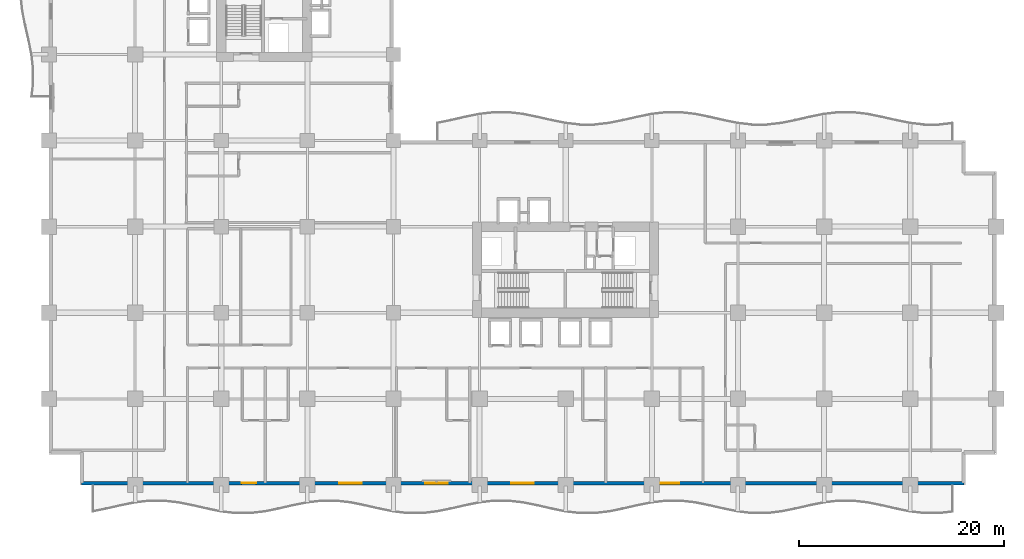
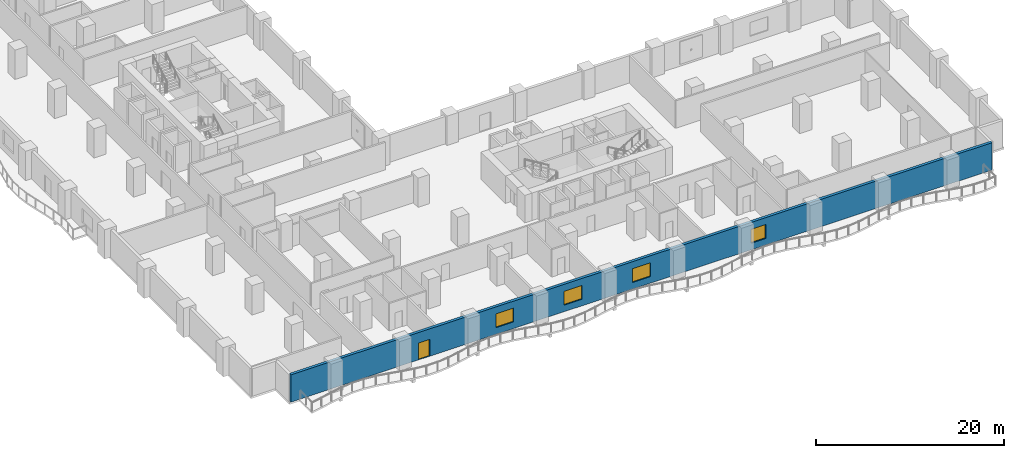
# One storey, part 5 of 20: 4 windows, 1 door, 1 wall, 5 openings.
"""IFC4 building model written with IfcOpenShell, lengths in metres."""

import ifcopenshell
import ifcopenshell.guid

model = None  # the IFC model being written
_history = None  # IfcOwnerHistory: only IFC2X3 demands one
_inside = {}  # id of a spatial element -> (the spatial element, [elements in it])
_under = {}  # id of a project, library or spatial element -> (it, [spatial elements below it])
_declared = {}  # id of a project -> (the project, [libraries it declares])
_typed = {}  # id of a type object -> (the type object, [elements of that type])
_made_of = {}  # id of a material, layer set ... -> (it, [elements and type objects made of it])


def new_model(schema):
    """Start an empty IFC model of exactly this schema.

    Asked for "IFC4X3", IfcOpenShell would pick the latest addendum, in which some entities
    have other attributes; the version numbers below select the first issue.
    IFC2X3 requires an IfcOwnerHistory on every rooted entity: one is made here for all.
    """
    global model, _history
    if schema == "IFC4X3":
        model = ifcopenshell.file(schema_version=(4, 3, 0, 0))
    else:
        model = ifcopenshell.file(schema=schema)
    _inside.clear()
    _under.clear()
    _declared.clear()
    _typed.clear()
    _made_of.clear()
    _history = None
    if model.schema == "IFC2X3":
        org = make("IfcOrganization", Name="unknown")
        user = make(
            "IfcPersonAndOrganization",
            ThePerson=make("IfcPerson", FamilyName="unknown"),
            TheOrganization=org,
        )
        app = make(
            "IfcApplication",
            ApplicationDeveloper=org,
            Version="unknown",
            ApplicationFullName="unknown",
            ApplicationIdentifier="unknown",
        )
        _history = make(
            "IfcOwnerHistory",
            OwningUser=user,
            OwningApplication=app,
            ChangeAction="ADDED",
            CreationDate=0,
        )
    return model


def make(cls, **values):
    """One entity of the class cls with the attributes given. An attribute that is None is left unset."""
    return model.create_entity(
        cls, **{name: value for name, value in values.items() if value is not None}
    )


def rooted(cls, **values):
    """An entity with a GlobalId (a new one), such as an element, a storey or a relation."""
    return make(cls, GlobalId=ifcopenshell.guid.new(), OwnerHistory=_history, **values)


def si_unit(unit_type, name, prefix=None):
    """IfcSIUnit, for example si_unit("LENGTHUNIT", "METRE", prefix="MILLI")."""
    return make("IfcSIUnit", UnitType=unit_type, Prefix=prefix, Name=name)


def assignment(units):
    """IfcUnitAssignment: the units of a project."""
    return None if units is None else make("IfcUnitAssignment", Units=units)


def point(xyz):
    """IfcCartesianPoint."""
    return None if xyz is None else make("IfcCartesianPoint", Coordinates=xyz)


def direction(xyz):
    """IfcDirection."""
    return None if xyz is None else make("IfcDirection", DirectionRatios=xyz)


def frame(location, z_axis=None, x_axis=None):
    """IfcAxis2Placement3D, a coordinate frame: its origin and axes. An axis left out is left unset."""
    return make(
        "IfcAxis2Placement3D",
        Location=point(location),
        Axis=direction(z_axis),
        RefDirection=direction(x_axis),
    )


def frame_2d(location, x_axis=None):
    """IfcAxis2Placement2D, a coordinate frame in the plane: its origin and x axis."""
    return make(
        "IfcAxis2Placement2D", Location=point(location), RefDirection=direction(x_axis)
    )


def origin():
    """The frame at (0, 0, 0) with its axes left unset."""
    return frame((0.0, 0.0, 0.0))


def place(relative_to, where):
    """IfcLocalPlacement: puts the frame where relative to a parent placement (None: the world)."""
    return make(
        "IfcLocalPlacement", PlacementRelTo=relative_to, RelativePlacement=where
    )


def context(
    kind, dimensions, precision=None, world=None, true_north=None, identifier=None
):
    """IfcGeometricRepresentationContext, for example the 3D "Model" context."""
    return make(
        "IfcGeometricRepresentationContext",
        ContextIdentifier=identifier,
        ContextType=kind,
        CoordinateSpaceDimension=dimensions,
        Precision=precision,
        WorldCoordinateSystem=world,
        TrueNorth=true_north,
    )


def subcontext(parent, identifier, kind, view, scale=None):
    """IfcGeometricRepresentationSubContext, for example "Body" below "Model"."""
    return make(
        "IfcGeometricRepresentationSubContext",
        ContextIdentifier=identifier,
        ContextType=kind,
        ParentContext=parent,
        TargetScale=scale,
        TargetView=view,
    )


def project(units=None, contexts=None):
    """IfcProject with its units and contexts."""
    return rooted(
        "IfcProject",
        Name="project",
        RepresentationContexts=contexts,
        UnitsInContext=assignment(units),
    )


def spatial(cls, under=None, at=None, **own):
    """A site, building, storey or space (cls), placed at a placement, below another one or the project."""
    s = rooted(cls, ObjectPlacement=at, **own)
    if under is not None:
        _under.setdefault(under.id(), (under, []))[1].append(s)
    return s


def profile(cls, at=None, kind="AREA", **sizes):
    """A parametric profile (cls). Its sizes go by their IFC names, for example OverallWidth=200.0."""
    return make(cls, ProfileType=kind, Position=at, **sizes)


def rectangle(**sizes):
    """IfcRectangleProfileDef."""
    return profile("IfcRectangleProfileDef", **sizes)


def extrude(swept, where, along, depth):
    """IfcExtrudedAreaSolid: the profile swept, set in the frame where, extruded along a direction by depth."""
    return make(
        "IfcExtrudedAreaSolid",
        SweptArea=swept,
        Position=where,
        ExtrudedDirection=direction(along),
        Depth=depth,
    )


def shape(context_of_items, identifier, shape_type, items):
    """IfcShapeRepresentation: the items that make up one representation, for example the "Body"."""
    return make(
        "IfcShapeRepresentation",
        ContextOfItems=context_of_items,
        RepresentationIdentifier=identifier,
        RepresentationType=shape_type,
        Items=items,
    )


def material(Name=None, Category=None):
    """IfcMaterial."""
    return make("IfcMaterial", Name=Name, Category=Category)


def layer(
    of_material, thickness, ventilated=None, Name=None, Category=None, Priority=None
):
    """IfcMaterialLayer: one layer of a wall or slab, of a material (None: an air gap)."""
    return make(
        "IfcMaterialLayer",
        Material=of_material,
        LayerThickness=thickness,
        IsVentilated=ventilated,
        Name=Name,
        Category=Category,
        Priority=Priority,
    )


def layer_set(layers, Name=None):
    """IfcMaterialLayerSet."""
    return make("IfcMaterialLayerSet", MaterialLayers=layers, LayerSetName=Name)


def made_of(thing, what):
    """Note that an element or type object is made of a material, layer set ...; save() writes the relation."""
    if what is not None:
        _made_of.setdefault(what.id(), (what, []))[1].append(thing)
    return thing


def type_object(cls, material=None, **own):
    """A type object (cls), such as IfcWallType, which elements share."""
    return made_of(rooted(cls, **own), material)


def element(
    cls,
    number,
    at=None,
    inside=None,
    cuts=None,
    type_object=None,
    material=None,
    context=None,
    identifier="Body",
    shape_type=None,
    held_by="IfcProductDefinitionShape",
    body=None,
    shapes=None,
    **own,
):
    """One element of the class cls, such as IfcWall. Its Tag is "e" and its number.

    at: its placement. inside: the storey or other place that contains it. cuts: it is an
    opening in that element (IfcRelVoidsElement). A single representation is given by context,
    identifier, shape_type and body (its items); several are given by shapes. held_by: the class
    of the entity that holds the representations. save() writes the other relations.
    """
    e = rooted(cls, Tag="e%d" % number, ObjectPlacement=at, **own)
    if body is not None:
        shapes = [shape(context, identifier, shape_type, body)]
    if shapes is not None:
        e.Representation = make(held_by, Representations=shapes)
    if inside is not None:
        _inside.setdefault(inside.id(), (inside, []))[1].append(e)
    if cuts is not None:
        rooted(
            "IfcRelVoidsElement", RelatingBuildingElement=cuts, RelatedOpeningElement=e
        )
    if type_object is not None:
        _typed.setdefault(type_object.id(), (type_object, []))[1].append(e)
    return made_of(e, material)


def fill(opening, filler):
    """IfcRelFillsElement: the door or window that sits in an opening."""
    return rooted(
        "IfcRelFillsElement",
        RelatingOpeningElement=opening,
        RelatedBuildingElement=filler,
    )


def aggregate(whole, parts):
    """IfcRelAggregates: a whole, such as a stair, and the parts it consists of."""
    return rooted("IfcRelAggregates", RelatingObject=whole, RelatedObjects=parts)


def save(model, path):
    """Write the relations noted so far, then the file.

    IfcRelAggregates (storeys below a building ...), IfcRelContainedInSpatialStructure (elements
    in a storey), IfcRelDefinesByType, IfcRelAssociatesMaterial and IfcRelDeclares: one each for
    every whole, place, type object, material and project.
    """
    for whole, parts in _under.values():
        aggregate(whole, parts)
    for where, things in _inside.values():
        rooted(
            "IfcRelContainedInSpatialStructure",
            RelatedElements=things,
            RelatingStructure=where,
        )
    for kind, things in _typed.values():
        rooted("IfcRelDefinesByType", RelatedObjects=things, RelatingType=kind)
    for what, things in _made_of.values():
        rooted("IfcRelAssociatesMaterial", RelatedObjects=things, RelatingMaterial=what)
    for by, libraries in _declared.values():
        rooted("IfcRelDeclares", RelatingContext=by, RelatedDefinitions=libraries)
    model.write(path)


model = new_model("IFC4")

# Units and contexts
model_context = context("Model", 3, precision=1e-05, world=origin(), true_north=direction((0.0, 1.0)))
body_context = subcontext(model_context, "Body", "Model", "MODEL_VIEW")
ifc_project = project(units=[si_unit("LENGTHUNIT", "METRE"), si_unit("AREAUNIT", "SQUARE_METRE"), si_unit("VOLUMEUNIT", "CUBIC_METRE"), si_unit("PLANEANGLEUNIT", "RADIAN"), si_unit("MASSUNIT", "GRAM", prefix="KILO")], contexts=[model_context])

# Site, building, storey
site_placement = place(None, origin())
site = spatial("IfcSite", under=ifc_project, at=site_placement, CompositionType="ELEMENT")
building_placement = place(site_placement, origin())
building = spatial("IfcBuilding", under=site, at=building_placement, Name="Koriwani Terraces Tower", CompositionType="ELEMENT")
storey_placement = place(building_placement, frame((0.0, 0.0, 58.60009765625)))
storey = spatial("IfcBuildingStorey", under=building, at=storey_placement, Name="L13", CompositionType="ELEMENT", Elevation=58.60009765625)

# Wall, openings, door, windows
ifc_material_1 = material(Name="Concrete C50/60", Category="concrete")
ifc_layer = layer(ifc_material_1, 0.35009765625, Name="Concrete C50/60")
ifc_layer_set = layer_set([ifc_layer], Name="Concrete C50/60")
wall_type = type_object("IfcWallType", Name="WALL_EXT_BRUTALIST_350", PredefinedType="STANDARD", material=ifc_layer_set)
wall_placement = place(storey_placement, frame((89.22509765625, 0.175048828125, 0.0), z_axis=(0.0, 0.0, 1.0), x_axis=(-1.0, 0.0, 0.0)))
wall = element("IfcWall", 1, at=wall_placement, inside=storey, type_object=wall_type, Name="L13 Fair-Faced Brutalist Exterior Wall (S)", PredefinedType="STANDARD", context=body_context, shape_type="SweptSolid", body=[
    extrude(rectangle(XDim=86.050048828125, YDim=0.35009765625, at=frame_2d((43.02490234375, 0.0))), origin(), (0.0, 0.0, 1.0), 3.5498046875),
])
opening_1_placement = place(wall_placement, frame((69.02490234375, 0.0, 0.0)))
opening_1 = element("IfcOpeningElement", 2, at=opening_1_placement, cuts=wall, Name="Opening D-09", PredefinedType="OPENING", context=body_context, shape_type="SweptSolid", body=[
    extrude(rectangle(XDim=1.39990234375, YDim=2.199951171875, at=frame_2d((0.699951171875, 1.10009765625))), frame((0.0, 0.18505859375, 0.0), z_axis=(0.0, -1.0, 0.0), x_axis=(1.0, 0.0, 0.0)), (0.0, 0.0, 1.0), 0.3701171875),
])
opening_2_placement = place(wall_placement, frame((58.72509765625, 0.0, 0.85009765625)))
opening_2 = element("IfcOpeningElement", 3, at=opening_2_placement, cuts=wall, Name="Opening W-01", PredefinedType="OPENING", context=body_context, shape_type="SweptSolid", body=[
    extrude(rectangle(XDim=2.199951171875, YDim=1.800048828125, at=frame_2d((1.10009765625, 0.89990234375))), frame((0.0, 0.18505859375, 0.0), z_axis=(0.0, -1.0, 0.0), x_axis=(1.0, 0.0, 0.0)), (0.0, 0.0, 1.0), 0.3701171875),
])
opening_3_placement = place(wall_placement, frame((50.324951171875, 0.0, 0.85009765625)))
opening_3 = element("IfcOpeningElement", 4, at=opening_3_placement, cuts=wall, Name="Opening W-01", PredefinedType="OPENING", context=body_context, shape_type="SweptSolid", body=[
    extrude(rectangle(XDim=2.199951171875, YDim=1.800048828125, at=frame_2d((1.10009765625, 0.89990234375))), frame((0.0, 0.18505859375, 0.0), z_axis=(0.0, -1.0, 0.0), x_axis=(1.0, 0.0, 0.0)), (0.0, 0.0, 1.0), 0.3701171875),
])
opening_4_placement = place(wall_placement, frame((41.925048828125, 0.0, 0.85009765625)))
opening_4 = element("IfcOpeningElement", 5, at=opening_4_placement, cuts=wall, Name="Opening W-01", PredefinedType="OPENING", context=body_context, shape_type="SweptSolid", body=[
    extrude(rectangle(XDim=2.199951171875, YDim=1.800048828125, at=frame_2d((1.10009765625, 0.89990234375))), frame((0.0, 0.18505859375, 0.0), z_axis=(0.0, -1.0, 0.0), x_axis=(1.0, 0.0, 0.0)), (0.0, 0.0, 1.0), 0.3701171875),
])
opening_5_placement = place(wall_placement, frame((27.77490234375, 0.0, 0.85009765625)))
opening_5 = element("IfcOpeningElement", 6, at=opening_5_placement, cuts=wall, Name="Opening W-04", PredefinedType="OPENING", context=body_context, shape_type="SweptSolid", body=[
    extrude(rectangle(XDim=1.800048828125, YDim=1.800048828125, at=frame_2d((0.89990234375, 0.89990234375))), frame((0.0, 0.18505859375, 0.0), z_axis=(0.0, -1.0, 0.0), x_axis=(1.0, 0.0, 0.0)), (0.0, 0.0, 1.0), 0.3701171875),
])
ifc_material_2 = material(Name="Anodised Bronze Aluminium", Category="aluminium")
door_type = type_object("IfcDoorType", Name="DOOR_BALCONY_GLAZED_1400X2200", OperationType="NOTDEFINED", PredefinedType="DOOR", material=ifc_material_2)
door_placement = place(opening_1_placement, origin())
door = element("IfcDoor", 7, at=door_placement, inside=storey, type_object=door_type, Name="L13 South Balcony Glazed Door", OperationType="SINGLE_SWING_LEFT", OverallHeight=2.199951171875, OverallWidth=1.39990234375, PredefinedType="DOOR", context=body_context, shape_type="SweptSolid", body=[
    extrude(rectangle(XDim=1.39990234375, YDim=2.199951171875, at=frame_2d((0.699951171875, 1.10009765625))), frame((0.0, 0.02490234375, 0.0), z_axis=(0.0, -1.0, 0.0), x_axis=(1.0, 0.0, 0.0)), (0.0, 0.0, 1.0), 0.050048828125),
])
fill(opening_1, door)
ifc_material_3 = material(Name="Tempered Laminated Low-E Glass", Category="glass")
window_type_1 = type_object("IfcWindowType", Name="WIN_HOTEL_STD_2200X1800", PartitioningType="DOUBLE_PANEL_VERTICAL", PredefinedType="WINDOW", material=ifc_material_3)
window_1_placement = place(opening_2_placement, origin())
window_1 = element("IfcWindow", 8, at=window_1_placement, inside=storey, type_object=window_type_1, Name="L13 Exterior Window (S-9)", OverallHeight=1.800048828125, OverallWidth=2.199951171875, PartitioningType="SINGLE_PANEL", PredefinedType="WINDOW", context=body_context, shape_type="SweptSolid", body=[
    extrude(rectangle(XDim=2.199951171875, YDim=1.800048828125, at=frame_2d((1.10009765625, 0.89990234375))), frame((0.0, 0.030029296875, 0.0), z_axis=(0.0, -1.0, 0.0), x_axis=(1.0, 0.0, 0.0)), (0.0, 0.0, 1.0), 0.06005859375),
])
fill(opening_2, window_1)
window_2_placement = place(opening_3_placement, origin())
window_2 = element("IfcWindow", 9, at=window_2_placement, inside=storey, type_object=window_type_1, Name="L13 Exterior Window (S-12)", OverallHeight=1.800048828125, OverallWidth=2.199951171875, PartitioningType="SINGLE_PANEL", PredefinedType="WINDOW", context=body_context, shape_type="SweptSolid", body=[
    extrude(rectangle(XDim=2.199951171875, YDim=1.800048828125, at=frame_2d((1.10009765625, 0.89990234375))), frame((0.0, 0.030029296875, 0.0), z_axis=(0.0, -1.0, 0.0), x_axis=(1.0, 0.0, 0.0)), (0.0, 0.0, 1.0), 0.06005859375),
])
fill(opening_3, window_2)
window_3_placement = place(opening_4_placement, origin())
window_3 = element("IfcWindow", 10, at=window_3_placement, inside=storey, type_object=window_type_1, Name="L13 Exterior Window (S-15)", OverallHeight=1.800048828125, OverallWidth=2.199951171875, PartitioningType="SINGLE_PANEL", PredefinedType="WINDOW", context=body_context, shape_type="SweptSolid", body=[
    extrude(rectangle(XDim=2.199951171875, YDim=1.800048828125, at=frame_2d((1.10009765625, 0.89990234375))), frame((0.0, 0.030029296875, 0.0), z_axis=(0.0, -1.0, 0.0), x_axis=(1.0, 0.0, 0.0)), (0.0, 0.0, 1.0), 0.06005859375),
])
fill(opening_4, window_3)
window_type_2 = type_object("IfcWindowType", Name="WIN_RES_BED_1800X1800", PartitioningType="DOUBLE_PANEL_VERTICAL", PredefinedType="WINDOW", material=ifc_material_3)
window_4_placement = place(opening_5_placement, origin())
window_4 = element("IfcWindow", 11, at=window_4_placement, inside=storey, type_object=window_type_2, Name="L13 Exterior Window (S-R47)", OverallHeight=1.800048828125, OverallWidth=1.800048828125, PartitioningType="SINGLE_PANEL", PredefinedType="WINDOW", context=body_context, shape_type="SweptSolid", body=[
    extrude(rectangle(XDim=1.800048828125, YDim=1.800048828125, at=frame_2d((0.89990234375, 0.89990234375))), frame((0.0, 0.030029296875, 0.0), z_axis=(0.0, -1.0, 0.0), x_axis=(1.0, 0.0, 0.0)), (0.0, 0.0, 1.0), 0.06005859375),
])
fill(opening_5, window_4)

save(model, "model.ifc")
